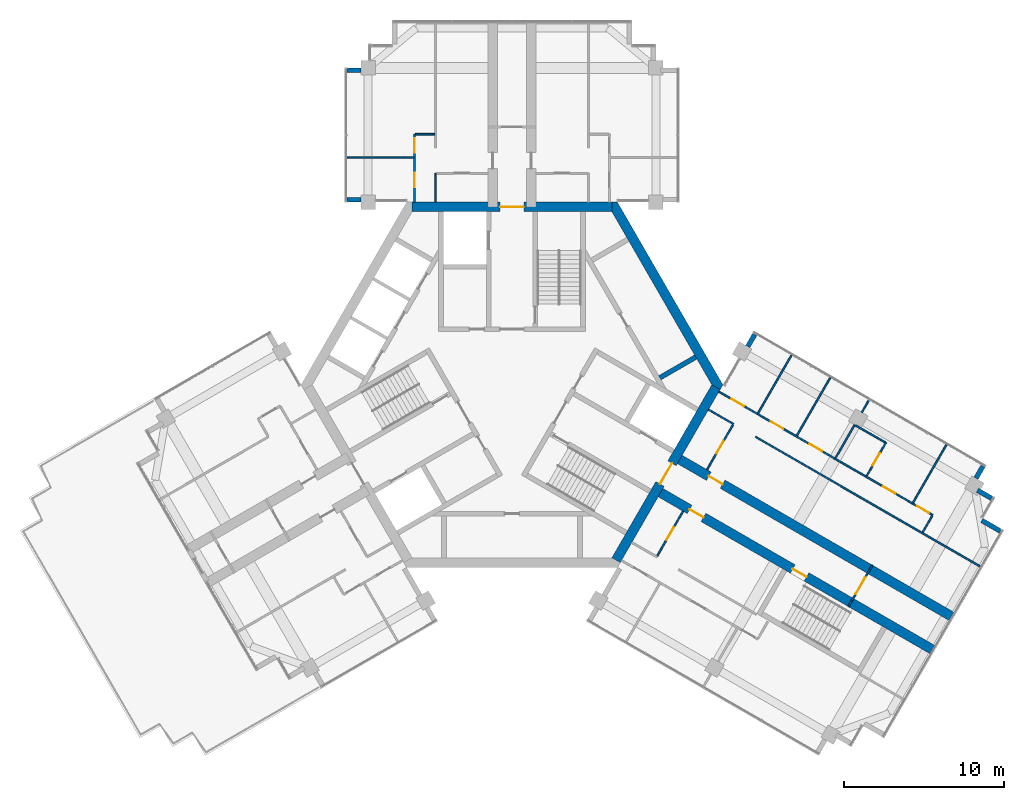
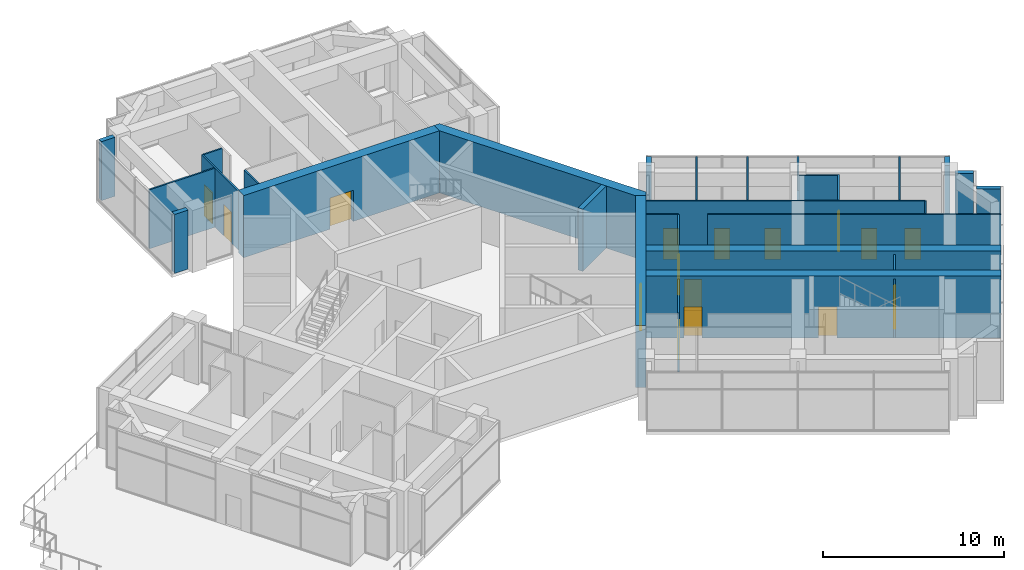
# One storey, part 11 of 13: 30 walls, 16 doors, 16 openings.
"""IFC4 building model written with IfcOpenShell, lengths in metres."""

from ifc_helpers import new_model, si_unit, direction, frame, frame_2d, origin, place, context, subcontext, project, spatial, polyline, rectangle, outline, extrude, material, layer, layer_set, type_object, element, fill, save


model = new_model("IFC4")

# Units and contexts
model_context = context("Model", 3, precision=1e-05, world=origin(), true_north=direction((0.0, 1.0)))
body_context = subcontext(model_context, "Body", "Model", "MODEL_VIEW")
ifc_project = project(units=[si_unit("LENGTHUNIT", "METRE"), si_unit("AREAUNIT", "SQUARE_METRE"), si_unit("VOLUMEUNIT", "CUBIC_METRE"), si_unit("PLANEANGLEUNIT", "RADIAN"), si_unit("MASSUNIT", "GRAM", prefix="KILO")], contexts=[model_context])

# Site, building, storey
site_placement = place(None, origin())
site = spatial("IfcSite", under=ifc_project, at=site_placement, CompositionType="ELEMENT")
building_placement = place(site_placement, origin())
building = spatial("IfcBuilding", under=site, at=building_placement, Name="Impinga Residences", CompositionType="ELEMENT")
storey_placement = place(building_placement, frame((0.0, 0.0, 283.14990234375)))
storey = spatial("IfcBuildingStorey", under=building, at=storey_placement, Name="L71", CompositionType="ELEMENT", Elevation=283.14990234375)

# Wall, opening, door
ifc_material_1 = material(Name="Concrete C60/75", Category="concrete")
ifc_layer_1 = layer(ifc_material_1, 0.60009765625)
ifc_layer_set_1 = layer_set([ifc_layer_1], Name="Concrete C60/75")
wall_type_1 = type_object("IfcWallType", Name="BW3 corridor buttress wall, L46 to L73 600", PredefinedType="SHEAR", material=ifc_layer_set_1)
wall_1_placement = place(storey_placement, frame((10.240234375, -4.526611328125, 0.0), z_axis=(0.0, 0.0, 1.0), x_axis=(0.866025922281, -0.499999101937, 0.0)))
wall_1 = element("IfcWall", 1, at=wall_1_placement, inside=storey, type_object=wall_type_1, Name="Corridor wall BW3 EC L71", PredefinedType="SHEAR", context=body_context, shape_type="SweptSolid", body=[
    extrude(rectangle(XDim=19.93798828125, YDim=0.60009765625, at=frame_2d((9.968994140625, 0.0))), origin(), (0.0, 0.0, 1.0), 4.2001953125),
])
opening_1_placement = place(wall_1_placement, frame((2.39990234375, 0.0, 0.0)))
opening_1 = element("IfcOpeningElement", 2, at=opening_1_placement, cuts=wall_1, Name="Opening D1", PredefinedType="OPENING", context=body_context, shape_type="SweptSolid", body=[
    extrude(rectangle(XDim=1.0, YDim=2.10009765625, at=frame_2d((0.5, 1.050048828125))), frame((0.0, 0.31005859375, 0.0), z_axis=(0.0, -1.0, 0.0), x_axis=(1.0, 0.0, 0.0)), (0.0, 0.0, 1.0), 0.6201171875),
])
ifc_material_2 = material(Name="Timber door set", Category="wood")
door_type_1 = type_object("IfcDoorType", Name="D1 apartment entrance door 1000x2100", OperationType="SINGLE_SWING_LEFT", PredefinedType="DOOR", material=ifc_material_2)
door_1_placement = place(opening_1_placement, origin())
door_1 = element("IfcDoor", 3, at=door_1_placement, inside=storey, type_object=door_type_1, Name="Apartment L71-EA1 entrance", OperationType="SINGLE_SWING_LEFT", OverallHeight=2.10009765625, OverallWidth=1.0, PredefinedType="DOOR", context=body_context, shape_type="SweptSolid", body=[
    extrude(rectangle(XDim=1.0, YDim=2.10009765625, at=frame_2d((0.5, 1.050048828125))), frame((0.0, 0.02490234375, 0.0), z_axis=(0.0, -1.0, 0.0), x_axis=(1.0, 0.0, 0.0)), (0.0, 0.0, 1.0), 0.050048828125),
])
fill(opening_1, door_1)

# Wall, openings, doors
wall_2_placement = place(storey_placement, frame((9.040283203125, -6.60498046875, 0.0), z_axis=(0.0, 0.0, 1.0), x_axis=(0.866025922281, -0.499999101937, 0.0)))
wall_2 = element("IfcWall", 4, at=wall_2_placement, inside=storey, type_object=wall_type_1, Name="Corridor wall BW3 ED L71", PredefinedType="SHEAR", context=body_context, shape_type="SweptSolid", body=[
    extrude(rectangle(XDim=19.93798828125, YDim=0.60009765625, at=frame_2d((9.968994140625, 0.0))), origin(), (0.0, 0.0, 1.0), 4.2001953125),
])
opening_2_placement = place(wall_2_placement, frame((9.85009765625, 0.0, 0.0)))
opening_2 = element("IfcOpeningElement", 5, at=opening_2_placement, cuts=wall_2, Name="Opening D5", PredefinedType="OPENING", context=body_context, shape_type="SweptSolid", body=[
    extrude(rectangle(XDim=1.0, YDim=2.10009765625, at=frame_2d((0.5, 1.050048828125))), frame((0.0, 0.31005859375, 0.0), z_axis=(0.0, -1.0, 0.0), x_axis=(1.0, 0.0, 0.0)), (0.0, 0.0, 1.0), 0.6201171875),
])
opening_3_placement = place(wall_2_placement, frame((2.39990234375, 0.0, 0.0)))
opening_3 = element("IfcOpeningElement", 6, at=opening_3_placement, cuts=wall_2, Name="Opening D1", PredefinedType="OPENING", context=body_context, shape_type="SweptSolid", body=[
    extrude(rectangle(XDim=1.0, YDim=2.10009765625, at=frame_2d((0.5, 1.050048828125))), frame((0.0, 0.31005859375, 0.0), z_axis=(0.0, -1.0, 0.0), x_axis=(1.0, 0.0, 0.0)), (0.0, 0.0, 1.0), 0.6201171875),
])
door_2_placement = place(opening_3_placement, origin())
door_2 = element("IfcDoor", 7, at=door_2_placement, inside=storey, type_object=door_type_1, Name="Apartment L71-EF1 entrance", OperationType="SINGLE_SWING_LEFT", OverallHeight=2.10009765625, OverallWidth=1.0, PredefinedType="DOOR", context=body_context, shape_type="SweptSolid", body=[
    extrude(rectangle(XDim=1.0, YDim=2.10009765625, at=frame_2d((0.5, 1.050048828125))), frame((0.0, 0.02490234375, 0.0), z_axis=(0.0, -1.0, 0.0), x_axis=(1.0, 0.0, 0.0)), (0.0, 0.0, 1.0), 0.050048828125),
])
fill(opening_3, door_2)
door_type_2 = type_object("IfcDoorType", Name="D5 stair door 1000x2100", OperationType="SINGLE_SWING_LEFT", PredefinedType="DOOR", material=ifc_material_2)
door_3_placement = place(opening_2_placement, origin())
door_3 = element("IfcDoor", 8, at=door_3_placement, inside=storey, type_object=door_type_2, Name="Wing stair door E", OperationType="SINGLE_SWING_RIGHT", OverallHeight=2.10009765625, OverallWidth=1.0, PredefinedType="DOOR", context=body_context, shape_type="SweptSolid", body=[
    extrude(rectangle(XDim=1.0, YDim=2.10009765625, at=frame_2d((0.5, 1.050048828125))), frame((0.0, 0.02490234375, 0.0), z_axis=(0.0, -1.0, 0.0), x_axis=(1.0, 0.0, 0.0)), (0.0, 0.0, 1.0), 0.050048828125),
])
fill(opening_2, door_3)

# Wall, opening, door
ifc_material_3 = material(Name="Concrete blockwork", Category="masonry")
ifc_layer_2 = layer(ifc_material_3, 0.10009765625)
ifc_layer_set_2 = layer_set([ifc_layer_2], Name="CP1 core room partition, blockwork 100")
wall_type_2 = type_object("IfcWallType", Name="CP1 core room partition, blockwork 100", PredefinedType="PARTITIONING", material=ifc_layer_set_2)
wall_3_placement = place(storey_placement, frame((22.557861328125, -11.291748046875, 0.0), z_axis=(0.0, 0.0, 1.0), x_axis=(-0.499990139034, -0.866031096941, 0.0)))
wall_3 = element("IfcWall", 9, at=wall_3_placement, inside=storey, type_object=wall_type_2, Name="Core room partition, blockwork L71:E:LNG", PredefinedType="PARTITIONING", context=body_context, shape_type="SweptSolid", body=[
    extrude(rectangle(XDim=3.0, YDim=0.10009765625, at=frame_2d((1.5, 0.0))), origin(), (0.0, 0.0, 1.0), 3.97998046875),
])
opening_4_placement = place(wall_3_placement, frame((0.89990234375, 0.0, 0.0)))
opening_4 = element("IfcOpeningElement", 10, at=opening_4_placement, cuts=wall_3, Name="Opening D3", PredefinedType="OPENING", context=body_context, shape_type="SweptSolid", body=[
    extrude(rectangle(XDim=1.199951171875, YDim=2.10009765625, at=frame_2d((0.60009765625, 1.050048828125))), frame((0.0, 0.06005859375, 0.0), z_axis=(0.0, -1.0, 0.0), x_axis=(1.0, 0.0, 0.0)), (0.0, 0.0, 1.0), 0.1201171875),
])
door_type_3 = type_object("IfcDoorType", Name="D3 room door, leaf and a half 1200x2100", OperationType="DOUBLE_SWING_LEFT", PredefinedType="DOOR", material=ifc_material_2)
door_4_placement = place(opening_4_placement, origin())
door_4 = element("IfcDoor", 11, at=door_4_placement, inside=storey, type_object=door_type_3, Name="Residents' lounge door E", OperationType="DOUBLE_SWING_LEFT", OverallHeight=2.10009765625, OverallWidth=1.199951171875, PredefinedType="DOOR", context=body_context, shape_type="SweptSolid", body=[
    extrude(rectangle(XDim=1.199951171875, YDim=2.10009765625, at=frame_2d((0.60009765625, 1.050048828125))), frame((0.0, 0.02490234375, 0.0), z_axis=(0.0, -1.0, 0.0), x_axis=(1.0, 0.0, 0.0)), (0.0, 0.0, 1.0), 0.050048828125),
])
fill(opening_4, door_4)

# Walls
ifc_material_4 = material(Name="Stone facing on blockwork", Category="masonry")
ifc_layer_3 = layer(ifc_material_4, 0.300048828125)
ifc_layer_set_3 = layer_set([ifc_layer_3], Name="EW2 external wall, stone facing on blockwork 300")
wall_type_3 = type_object("IfcWallType", Name="EW2 external wall, stone facing on blockwork 300", PredefinedType="SOLIDWALL", material=ifc_layer_set_3)
wall_4_placement = place(storey_placement, frame((29.476806640625, -5.107666015625, 0.0), z_axis=(0.0, 0.0, 1.0), x_axis=(-0.499885902046, -0.866091268248, 0.0)))
element("IfcWall", 12, at=wall_4_placement, inside=storey, type_object=wall_type_3, Name="External wall EW2 L71", PredefinedType="SOLIDWALL", context=body_context, shape_type="SweptSolid", body=[
    extrude(rectangle(XDim=0.862060546875, YDim=0.300048828125, at=frame_2d((0.43115234375, 0.0))), origin(), (0.0, 0.0, 1.0), 3.97998046875),
])
wall_5_placement = place(storey_placement, frame((29.134033203125, -6.6015625, 0.0), z_axis=(0.0, 0.0, 1.0), x_axis=(0.866073420066, -0.499916824138, 0.0)))
element("IfcWall", 13, at=wall_5_placement, inside=storey, type_object=wall_type_3, Name="External wall EW2 L71", PredefinedType="SOLIDWALL", context=body_context, shape_type="SweptSolid", body=[
    extrude(rectangle(XDim=1.014892578125, YDim=0.300048828125, at=frame_2d((0.50732421875, 0.0))), origin(), (0.0, 0.0, 1.0), 3.97998046875),
])
wall_6_placement = place(storey_placement, frame((29.41015625, -8.492919921875, 0.0), z_axis=(0.0, 0.0, 1.0), x_axis=(0.866020521143, -0.500008456887, 0.0)))
element("IfcWall", 14, at=wall_6_placement, inside=storey, type_object=wall_type_3, Name="External wall EW2 L71", PredefinedType="SOLIDWALL", context=body_context, shape_type="SweptSolid", body=[
    extrude(rectangle(XDim=1.330078125, YDim=0.300048828125, at=frame_2d((0.6650390625, 0.0))), origin(), (0.0, 0.0, 1.0), 3.97998046875),
])
for number, where, z_axis, x_axis, name in (
    (15, (-9.452880859375, 11.58154296875, 0.0), (0.0, 0.0, 1.0), (-1.0, 0.0, 0.0), "External wall EW2 L71"),
    (16, (-10.31494140625, 19.681640625, 0.0), (0.0, 0.0, 1.0), (1.0, 0.0, 0.0), "External wall EW2 L71"),
    (17, (14.75634765625, 2.395751953125, 0.0), (0.0, 0.0, 1.0), (0.500098305348, 0.865968639725, 0.0), "External wall EW2 L71"),
):
    element("IfcWall", number, at=place(storey_placement, frame(where, z_axis=z_axis, x_axis=x_axis)), inside=storey, type_object=wall_type_3, Name=name, PredefinedType="SOLIDWALL", context=body_context, shape_type="SweptSolid", body=[
        extrude(rectangle(XDim=0.862060546875, YDim=0.300048828125, at=frame_2d((0.43115234375, 0.0))), origin(), (0.0, 0.0, 1.0), 3.97998046875),
    ])
ifc_material_5 = material(Name="Gypsum board on steel studs", Category="steel")
ifc_layer_4 = layer(ifc_material_5, 0.10009765625)
ifc_layer_set_4 = layer_set([ifc_layer_4], Name="Gypsum board on steel studs")
wall_type_4 = type_object("IfcWallType", Name="IP1 partition 100", PredefinedType="PARTITIONING", material=ifc_layer_set_4)
wall_7_placement = place(storey_placement, frame((-4.800048828125, 11.431640625, 0.0), z_axis=(0.0, 0.0, 1.0), x_axis=(0.0, 1.0, 0.0)))
element("IfcWall", 18, at=wall_7_placement, inside=storey, type_object=wall_type_4, Name="Partition L71-NA1:DIV0", PredefinedType="PARTITIONING", context=body_context, shape_type="SweptSolid", body=[
    extrude(rectangle(XDim=1.7998046875, YDim=0.10009765625, at=frame_2d((0.89990234375, 0.0))), origin(), (0.0, 0.0, 1.0), 3.97998046875),
])

# Wall, openings, doors
wall_8_placement = place(storey_placement, frame((-6.10009765625, 11.431640625, 0.0), z_axis=(0.0, 0.0, 1.0), x_axis=(0.0, 1.0, 0.0)))
wall_8 = element("IfcWall", 19, at=wall_8_placement, inside=storey, type_object=wall_type_4, Name="Partition L71-NA1:STRIP", PredefinedType="PARTITIONING", context=body_context, shape_type="SweptSolid", body=[
    extrude(rectangle(XDim=4.25, YDim=0.10009765625, at=frame_2d((2.125, 0.0))), origin(), (0.0, 0.0, 1.0), 3.97998046875),
])
opening_5_placement = place(wall_8_placement, frame((0.925048828125, 0.0, 0.0)))
opening_5 = element("IfcOpeningElement", 20, at=opening_5_placement, cuts=wall_8, Name="Opening D2", PredefinedType="OPENING", context=body_context, shape_type="SweptSolid", body=[
    extrude(rectangle(XDim=0.89990234375, YDim=2.10009765625, at=frame_2d((0.449951171875, 1.050048828125))), frame((0.0, 0.06005859375, 0.0), z_axis=(0.0, -1.0, 0.0), x_axis=(1.0, 0.0, 0.0)), (0.0, 0.0, 1.0), 0.1201171875),
])
opening_6_placement = place(wall_8_placement, frame((3.10009765625, 0.0, 0.0)))
opening_6 = element("IfcOpeningElement", 21, at=opening_6_placement, cuts=wall_8, Name="Opening D2", PredefinedType="OPENING", context=body_context, shape_type="SweptSolid", body=[
    extrude(rectangle(XDim=0.89990234375, YDim=2.10009765625, at=frame_2d((0.449951171875, 1.050048828125))), frame((0.0, 0.06005859375, 0.0), z_axis=(0.0, -1.0, 0.0), x_axis=(1.0, 0.0, 0.0)), (0.0, 0.0, 1.0), 0.1201171875),
])
door_type_4 = type_object("IfcDoorType", Name="D2 internal door 900x2100", OperationType="SINGLE_SWING_LEFT", PredefinedType="DOOR", material=ifc_material_2)
door_5_placement = place(opening_5_placement, origin())
door_5 = element("IfcDoor", 22, at=door_5_placement, inside=storey, type_object=door_type_4, Name="Apartment L71-NA1 room door", OperationType="SINGLE_SWING_LEFT", OverallHeight=2.10009765625, OverallWidth=0.89990234375, PredefinedType="DOOR", context=body_context, shape_type="SweptSolid", body=[
    extrude(rectangle(XDim=0.89990234375, YDim=2.10009765625, at=frame_2d((0.449951171875, 1.050048828125))), frame((0.0, 0.02490234375, 0.0), z_axis=(0.0, -1.0, 0.0), x_axis=(1.0, 0.0, 0.0)), (0.0, 0.0, 1.0), 0.050048828125),
])
fill(opening_5, door_5)
door_6_placement = place(opening_6_placement, origin())
door_6 = element("IfcDoor", 23, at=door_6_placement, inside=storey, type_object=door_type_4, Name="Apartment L71-NA1 room door", OperationType="SINGLE_SWING_RIGHT", OverallHeight=2.10009765625, OverallWidth=0.89990234375, PredefinedType="DOOR", context=body_context, shape_type="SweptSolid", body=[
    extrude(rectangle(XDim=0.89990234375, YDim=2.10009765625, at=frame_2d((0.449951171875, 1.050048828125))), frame((0.0, 0.02490234375, 0.0), z_axis=(0.0, -1.0, 0.0), x_axis=(1.0, 0.0, 0.0)), (0.0, 0.0, 1.0), 0.050048828125),
])
fill(opening_6, door_6)

# Walls
wall_9_placement = place(storey_placement, frame((-4.85009765625, 15.681640625, 0.0), z_axis=(0.0, 0.0, 1.0), x_axis=(-1.0, 0.0, 0.0)))
element("IfcWall", 24, at=wall_9_placement, inside=storey, type_object=wall_type_4, Name="Partition L71-NA1:SE1", PredefinedType="PARTITIONING", context=body_context, shape_type="SweptSolid", body=[
    extrude(rectangle(XDim=1.199951171875, YDim=0.10009765625, at=frame_2d((0.60009765625, 0.0))), origin(), (0.0, 0.0, 1.0), 3.97998046875),
])
wall_10_placement = place(storey_placement, frame((-6.14990234375, 14.2314453125, 0.0), z_axis=(0.0, 0.0, 1.0), x_axis=(-1.0, 0.0, 0.0)))
element("IfcWall", 25, at=wall_10_placement, inside=storey, type_object=wall_type_4, Name="Partition L71-NA1:OB1", PredefinedType="PARTITIONING", context=body_context, shape_type="SweptSolid", body=[
    extrude(rectangle(XDim=4.18701171875, YDim=0.10009765625, at=frame_2d((2.093505859375, 0.0))), origin(), (0.0, 0.0, 1.0), 3.97998046875),
])
wall_11_placement = place(storey_placement, frame((12.300048828125, -1.558837890625, 0.0), z_axis=(0.0, 0.0, 1.0), x_axis=(0.866047807691, -0.499961193289, 0.0)))
element("IfcWall", 26, at=wall_11_placement, inside=storey, type_object=wall_type_4, Name="Partition L71-EA1:DIV0", PredefinedType="PARTITIONING", context=body_context, shape_type="SweptSolid", body=[
    extrude(rectangle(XDim=1.800048828125, YDim=0.10009765625, at=frame_2d((0.89990234375, 0.0))), origin(), (0.0, 0.0, 1.0), 3.97998046875),
])
wall_12_placement = place(storey_placement, frame((15.244384765625, -3.2587890625, 0.0), z_axis=(0.0, 0.0, 1.0), x_axis=(0.866023082401, -0.500004020733, 0.0)))
element("IfcWall", 27, at=wall_12_placement, inside=storey, type_object=wall_type_4, Name="Partition L71-EA1:DIV1", PredefinedType="PARTITIONING", context=body_context, shape_type="SweptSolid", body=[
    extrude(rectangle(XDim=16.237060546875, YDim=0.10009765625, at=frame_2d((8.11865234375, 0.0))), origin(), (0.0, 0.0, 1.0), 3.97998046875),
])

# Wall, openings, doors
wall_13_placement = place(storey_placement, frame((12.949951171875, -0.43310546875, 0.0), z_axis=(0.0, 0.0, 1.0), x_axis=(0.866030066916, -0.499991923133, 0.0)))
wall_13 = element("IfcWall", 28, at=wall_13_placement, inside=storey, type_object=wall_type_4, Name="Partition L71-EA1:STRIP", PredefinedType="PARTITIONING", context=body_context, shape_type="SweptSolid", body=[
    extrude(rectangle(XDim=15.449951171875, YDim=0.10009765625, at=frame_2d((7.72509765625, 0.0))), origin(), (0.0, 0.0, 1.0), 3.97998046875),
])
opening_7_placement = place(wall_13_placement, frame((0.925048828125, 0.0, 0.0)))
opening_7 = element("IfcOpeningElement", 29, at=opening_7_placement, cuts=wall_13, Name="Opening D2", PredefinedType="OPENING", context=body_context, shape_type="SweptSolid", body=[
    extrude(rectangle(XDim=0.89990234375, YDim=2.10009765625, at=frame_2d((0.449951171875, 1.050048828125))), frame((0.0, 0.06005859375, 0.0), z_axis=(0.0, -1.0, 0.0), x_axis=(1.0, 0.0, 0.0)), (0.0, 0.0, 1.0), 0.1201171875),
])
opening_8_placement = place(wall_13_placement, frame((3.75, 0.0, 0.0)))
opening_8 = element("IfcOpeningElement", 30, at=opening_8_placement, cuts=wall_13, Name="Opening D2", PredefinedType="OPENING", context=body_context, shape_type="SweptSolid", body=[
    extrude(rectangle(XDim=0.89990234375, YDim=2.10009765625, at=frame_2d((0.449951171875, 1.050048828125))), frame((0.0, 0.06005859375, 0.0), z_axis=(0.0, -1.0, 0.0), x_axis=(1.0, 0.0, 0.0)), (0.0, 0.0, 1.0), 0.1201171875),
])
opening_9_placement = place(wall_13_placement, frame((6.550048828125, 0.0, 0.0)))
opening_9 = element("IfcOpeningElement", 31, at=opening_9_placement, cuts=wall_13, Name="Opening D2", PredefinedType="OPENING", context=body_context, shape_type="SweptSolid", body=[
    extrude(rectangle(XDim=0.89990234375, YDim=2.10009765625, at=frame_2d((0.449951171875, 1.050048828125))), frame((0.0, 0.06005859375, 0.0), z_axis=(0.0, -1.0, 0.0), x_axis=(1.0, 0.0, 0.0)), (0.0, 0.0, 1.0), 0.1201171875),
])
opening_10_placement = place(wall_13_placement, frame((11.875, 0.0, 0.0)))
opening_10 = element("IfcOpeningElement", 32, at=opening_10_placement, cuts=wall_13, Name="Opening D2", PredefinedType="OPENING", context=body_context, shape_type="SweptSolid", body=[
    extrude(rectangle(XDim=0.89990234375, YDim=2.10009765625, at=frame_2d((0.449951171875, 1.050048828125))), frame((0.0, 0.06005859375, 0.0), z_axis=(0.0, -1.0, 0.0), x_axis=(1.0, 0.0, 0.0)), (0.0, 0.0, 1.0), 0.1201171875),
])
opening_11_placement = place(wall_13_placement, frame((14.300048828125, 0.0, 0.0)))
opening_11 = element("IfcOpeningElement", 33, at=opening_11_placement, cuts=wall_13, Name="Opening D2", PredefinedType="OPENING", context=body_context, shape_type="SweptSolid", body=[
    extrude(rectangle(XDim=0.89990234375, YDim=2.10009765625, at=frame_2d((0.449951171875, 1.050048828125))), frame((0.0, 0.06005859375, 0.0), z_axis=(0.0, -1.0, 0.0), x_axis=(1.0, 0.0, 0.0)), (0.0, 0.0, 1.0), 0.1201171875),
])
door_7_placement = place(opening_7_placement, origin())
door_7 = element("IfcDoor", 34, at=door_7_placement, inside=storey, type_object=door_type_4, Name="Apartment L71-EA1 room door", OperationType="SINGLE_SWING_LEFT", OverallHeight=2.10009765625, OverallWidth=0.89990234375, PredefinedType="DOOR", context=body_context, shape_type="SweptSolid", body=[
    extrude(rectangle(XDim=0.89990234375, YDim=2.10009765625, at=frame_2d((0.449951171875, 1.050048828125))), frame((0.0, 0.02490234375, 0.0), z_axis=(0.0, -1.0, 0.0), x_axis=(1.0, 0.0, 0.0)), (0.0, 0.0, 1.0), 0.050048828125),
])
fill(opening_7, door_7)
door_8_placement = place(opening_8_placement, origin())
door_8 = element("IfcDoor", 35, at=door_8_placement, inside=storey, type_object=door_type_4, Name="Apartment L71-EA1 room door", OperationType="SINGLE_SWING_LEFT", OverallHeight=2.10009765625, OverallWidth=0.89990234375, PredefinedType="DOOR", context=body_context, shape_type="SweptSolid", body=[
    extrude(rectangle(XDim=0.89990234375, YDim=2.10009765625, at=frame_2d((0.449951171875, 1.050048828125))), frame((0.0, 0.02490234375, 0.0), z_axis=(0.0, -1.0, 0.0), x_axis=(1.0, 0.0, 0.0)), (0.0, 0.0, 1.0), 0.050048828125),
])
fill(opening_8, door_8)
door_9_placement = place(opening_9_placement, origin())
door_9 = element("IfcDoor", 36, at=door_9_placement, inside=storey, type_object=door_type_4, Name="Apartment L71-EA1 room door", OperationType="SINGLE_SWING_LEFT", OverallHeight=2.10009765625, OverallWidth=0.89990234375, PredefinedType="DOOR", context=body_context, shape_type="SweptSolid", body=[
    extrude(rectangle(XDim=0.89990234375, YDim=2.10009765625, at=frame_2d((0.449951171875, 1.050048828125))), frame((0.0, 0.02490234375, 0.0), z_axis=(0.0, -1.0, 0.0), x_axis=(1.0, 0.0, 0.0)), (0.0, 0.0, 1.0), 0.050048828125),
])
fill(opening_9, door_9)
door_10_placement = place(opening_10_placement, origin())
door_10 = element("IfcDoor", 37, at=door_10_placement, inside=storey, type_object=door_type_4, Name="Apartment L71-EA1 room door", OperationType="SINGLE_SWING_RIGHT", OverallHeight=2.10009765625, OverallWidth=0.89990234375, PredefinedType="DOOR", context=body_context, shape_type="SweptSolid", body=[
    extrude(rectangle(XDim=0.89990234375, YDim=2.10009765625, at=frame_2d((0.449951171875, 1.050048828125))), frame((0.0, 0.02490234375, 0.0), z_axis=(0.0, -1.0, 0.0), x_axis=(1.0, 0.0, 0.0)), (0.0, 0.0, 1.0), 0.050048828125),
])
fill(opening_10, door_10)
door_11_placement = place(opening_11_placement, origin())
door_11 = element("IfcDoor", 38, at=door_11_placement, inside=storey, type_object=door_type_4, Name="Apartment L71-EA1 room door", OperationType="SINGLE_SWING_RIGHT", OverallHeight=2.10009765625, OverallWidth=0.89990234375, PredefinedType="DOOR", context=body_context, shape_type="SweptSolid", body=[
    extrude(rectangle(XDim=0.89990234375, YDim=2.10009765625, at=frame_2d((0.449951171875, 1.050048828125))), frame((0.0, 0.02490234375, 0.0), z_axis=(0.0, -1.0, 0.0), x_axis=(1.0, 0.0, 0.0)), (0.0, 0.0, 1.0), 0.050048828125),
])
fill(opening_11, door_11)

# Wall
wall_14_placement = place(storey_placement, frame((25.705078125, -9.240478515625, 0.0), z_axis=(0.0, 0.0, 1.0), x_axis=(0.50012165622, 0.865955154139, 0.0)))
element("IfcWall", 39, at=wall_14_placement, inside=storey, type_object=wall_type_4, Name="Partition L71-EA1:SE1", PredefinedType="PARTITIONING", context=body_context, shape_type="SweptSolid", body=[
    extrude(rectangle(XDim=1.199951171875, YDim=0.10009765625, at=frame_2d((0.60009765625, 0.0))), origin(), (0.0, 0.0, 1.0), 3.97998046875),
])

# Wall, opening, door
wall_15_placement = place(storey_placement, frame((12.208740234375, -5.316650390625, 0.0), z_axis=(0.0, 0.0, 1.0), x_axis=(0.500017246033, 0.866015446554, 0.0)))
wall_15 = element("IfcWall", 40, at=wall_15_placement, inside=storey, type_object=wall_type_4, Name="Partition L71-EA1:IB1", PredefinedType="PARTITIONING", context=body_context, shape_type="SweptSolid", body=[
    extrude(rectangle(XDim=3.25, YDim=0.10009765625, at=frame_2d((1.625, 0.0))), origin(), (0.0, 0.0, 1.0), 3.97998046875),
])
opening_12_placement = place(wall_15_placement, frame((1.175048828125, 0.0, 0.0)))
opening_12 = element("IfcOpeningElement", 41, at=opening_12_placement, cuts=wall_15, Name="Opening D2", PredefinedType="OPENING", context=body_context, shape_type="SweptSolid", body=[
    extrude(rectangle(XDim=0.89990234375, YDim=2.10009765625, at=frame_2d((0.449951171875, 1.050048828125))), frame((0.0, 0.06005859375, 0.0), z_axis=(0.0, -1.0, 0.0), x_axis=(1.0, 0.0, 0.0)), (0.0, 0.0, 1.0), 0.1201171875),
])
door_12_placement = place(opening_12_placement, origin())
door_12 = element("IfcDoor", 42, at=door_12_placement, inside=storey, type_object=door_type_4, Name="Apartment L71-EA1 bathroom door", OperationType="SINGLE_SWING_LEFT", OverallHeight=2.10009765625, OverallWidth=0.89990234375, PredefinedType="DOOR", context=body_context, shape_type="SweptSolid", body=[
    extrude(rectangle(XDim=0.89990234375, YDim=2.10009765625, at=frame_2d((0.449951171875, 1.050048828125))), frame((0.0, 0.02490234375, 0.0), z_axis=(0.0, -1.0, 0.0), x_axis=(1.0, 0.0, 0.0)), (0.0, 0.0, 1.0), 0.050048828125),
])
fill(opening_12, door_12)

# Walls
wall_16_placement = place(storey_placement, frame((15.39990234375, -1.789794921875, 0.0), z_axis=(0.0, 0.0, 1.0), x_axis=(0.499983227221, 0.866035087336, 0.0)))
element("IfcWall", 43, at=wall_16_placement, inside=storey, type_object=wall_type_4, Name="Partition L71-EA1:OB1", PredefinedType="PARTITIONING", context=body_context, shape_type="SweptSolid", body=[
    extrude(rectangle(XDim=4.187255859375, YDim=0.10009765625, at=frame_2d((2.09375, 0.0))), origin(), (0.0, 0.0, 1.0), 3.97998046875),
])
wall_17_placement = place(storey_placement, frame((17.82470703125, -3.189697265625, 0.0), z_axis=(0.0, 0.0, 1.0), x_axis=(0.500008475426, 0.86602051044, 0.0)))
element("IfcWall", 44, at=wall_17_placement, inside=storey, type_object=wall_type_4, Name="Partition L71-EA1:OB2", PredefinedType="PARTITIONING", context=body_context, shape_type="SweptSolid", body=[
    extrude(rectangle(XDim=4.18701171875, YDim=0.10009765625, at=frame_2d((2.093505859375, 0.0))), origin(), (0.0, 0.0, 1.0), 3.97998046875),
])
wall_18_placement = place(storey_placement, frame((20.24951171875, -4.589599609375, 0.0), z_axis=(0.0, 0.0, 1.0), x_axis=(0.500077600433, 0.865980596518, 0.0)))
element("IfcWall", 45, at=wall_18_placement, inside=storey, type_object=wall_type_4, Name="Partition L71-EA1:OB3", PredefinedType="PARTITIONING", context=body_context, shape_type="SweptSolid", body=[
    extrude(rectangle(XDim=2.39990234375, YDim=0.10009765625, at=frame_2d((1.199951171875, 0.0))), origin(), (0.0, 0.0, 1.0), 2.93017578125),
])
wall_19_placement = place(storey_placement, frame((21.899658203125, -1.73193359375, 0.0), z_axis=(0.0, 0.0, 1.0), x_axis=(0.499803706212, 0.866138704398, 0.0)))
element("IfcWall", 46, at=wall_19_placement, inside=storey, type_object=wall_type_4, Name="Partition L71-EA1:OB3b", PredefinedType="PARTITIONING", context=body_context, shape_type="SweptSolid", body=[
    extrude(rectangle(XDim=0.866943359375, YDim=0.10009765625, at=frame_2d((0.43359375, 0.0))), origin(), (0.0, 0.0, 1.0), 3.97998046875),
])
wall_20_placement = place(storey_placement, frame((25.099365234375, -7.3896484375, 0.0), z_axis=(0.0, 0.0, 1.0), x_axis=(0.500008475426, 0.86602051044, 0.0)))
element("IfcWall", 47, at=wall_20_placement, inside=storey, type_object=wall_type_4, Name="Partition L71-EA1:OB4", PredefinedType="PARTITIONING", context=body_context, shape_type="SweptSolid", body=[
    extrude(rectangle(XDim=4.18701171875, YDim=0.10009765625, at=frame_2d((2.093505859375, 0.0))), origin(), (0.0, 0.0, 1.0), 3.97998046875),
])

# Wall, opening, door
wall_21_placement = place(storey_placement, frame((22.1982421875, -5.714599609375, 0.0), z_axis=(0.0, 0.0, 1.0), x_axis=(0.499987006516, 0.866032905446, 0.0)))
wall_21 = element("IfcWall", 48, at=wall_21_placement, inside=storey, type_object=wall_type_4, Name="Partition L71-EA1:EN1", PredefinedType="PARTITIONING", context=body_context, shape_type="SweptSolid", body=[
    extrude(rectangle(XDim=2.44970703125, YDim=0.10009765625, at=frame_2d((1.224853515625, 0.0))), origin(), (0.0, 0.0, 1.0), 3.97998046875),
])
opening_13_placement = place(wall_21_placement, frame((0.75, 0.0, 0.0)))
opening_13 = element("IfcOpeningElement", 49, at=opening_13_placement, cuts=wall_21, Name="Opening D2", PredefinedType="OPENING", context=body_context, shape_type="SweptSolid", body=[
    extrude(rectangle(XDim=0.89990234375, YDim=2.10009765625, at=frame_2d((0.449951171875, 1.050048828125))), frame((0.0, 0.06005859375, 0.0), z_axis=(0.0, -1.0, 0.0), x_axis=(1.0, 0.0, 0.0)), (0.0, 0.0, 1.0), 0.1201171875),
])
door_13_placement = place(opening_13_placement, origin())
door_13 = element("IfcDoor", 50, at=door_13_placement, inside=storey, type_object=door_type_4, Name="Apartment L71-EA1 en-suite door", OperationType="SINGLE_SWING_LEFT", OverallHeight=2.10009765625, OverallWidth=0.89990234375, PredefinedType="DOOR", context=body_context, shape_type="SweptSolid", body=[
    extrude(rectangle(XDim=0.89990234375, YDim=2.10009765625, at=frame_2d((0.449951171875, 1.050048828125))), frame((0.0, 0.02490234375, 0.0), z_axis=(0.0, -1.0, 0.0), x_axis=(1.0, 0.0, 0.0)), (0.0, 0.0, 1.0), 0.050048828125),
])
fill(opening_13, door_13)

# Wall
wall_22_placement = place(storey_placement, frame((21.492919921875, -2.5361328125, 0.0), z_axis=(0.0, 0.0, 1.0), x_axis=(0.865998386012, -0.500046793234, 0.0)))
element("IfcWall", 51, at=wall_22_placement, inside=storey, type_object=wall_type_4, Name="Partition L71-EA1:EN2", PredefinedType="PARTITIONING", context=body_context, shape_type="SweptSolid", body=[
    extrude(rectangle(XDim=2.150146484375, YDim=0.10009765625, at=frame_2d((1.0751953125, 0.0))), origin(), (0.0, 0.0, 1.0), 3.97998046875),
])

# Wall, opening, door
wall_23_placement = place(storey_placement, frame((10.708740234375, -7.914794921875, 0.0), z_axis=(0.0, 0.0, 1.0), x_axis=(-0.499984717929, -0.866034226713, 0.0)))
wall_23 = element("IfcWall", 52, at=wall_23_placement, inside=storey, type_object=wall_type_4, Name="Partition L71-EF1:IB1", PredefinedType="PARTITIONING", context=body_context, shape_type="SweptSolid", body=[
    extrude(rectangle(XDim=3.25, YDim=0.10009765625, at=frame_2d((1.625, 0.0))), origin(), (0.0, 0.0, 1.0), 3.97998046875),
])
opening_14_placement = place(wall_23_placement, frame((1.175048828125, 0.0, 0.0)))
opening_14 = element("IfcOpeningElement", 53, at=opening_14_placement, cuts=wall_23, Name="Opening D2", PredefinedType="OPENING", context=body_context, shape_type="SweptSolid", body=[
    extrude(rectangle(XDim=0.89990234375, YDim=2.10009765625, at=frame_2d((0.449951171875, 1.050048828125))), frame((0.0, 0.06005859375, 0.0), z_axis=(0.0, -1.0, 0.0), x_axis=(1.0, 0.0, 0.0)), (0.0, 0.0, 1.0), 0.1201171875),
])
door_14_placement = place(opening_14_placement, origin())
door_14 = element("IfcDoor", 54, at=door_14_placement, inside=storey, type_object=door_type_4, Name="Apartment L71-EF1 bathroom door", OperationType="SINGLE_SWING_LEFT", OverallHeight=2.10009765625, OverallWidth=0.89990234375, PredefinedType="DOOR", context=body_context, shape_type="SweptSolid", body=[
    extrude(rectangle(XDim=0.89990234375, YDim=2.10009765625, at=frame_2d((0.449951171875, 1.050048828125))), frame((0.0, 0.02490234375, 0.0), z_axis=(0.0, -1.0, 0.0), x_axis=(1.0, 0.0, 0.0)), (0.0, 0.0, 1.0), 0.050048828125),
])
fill(opening_14, door_14)

ifc_layer_5 = layer(ifc_material_1, 0.60009765625)
ifc_layer_set_5 = layer_set([ifc_layer_5], Name="Concrete C60/75")
wall_type_5 = type_object("IfcWallType", Name="SW4 core wall, crown 600", PredefinedType="SHEAR", material=ifc_layer_set_5)
wall_24_placement = place(storey_placement, frame((-6.253662109375, 11.131591796875, 0.0), z_axis=(0.0, 0.0, 1.0), x_axis=(1.0, 0.0, 0.0)))
wall_24 = element("IfcWall", 55, at=wall_24_placement, inside=storey, type_object=wall_type_5, Name="Core wall SW4 N:FACE L71", PredefinedType="SHEAR", context=body_context, shape_type="SweptSolid", body=[
    extrude(rectangle(XDim=12.50732421875, YDim=0.60009765625, at=frame_2d((6.253662109375, 0.0))), origin(), (0.0, 0.0, 1.0), 4.2001953125),
])
opening_15_placement = place(wall_24_placement, frame((5.503662109375, 0.0, 0.0)))
opening_15 = element("IfcOpeningElement", 56, at=opening_15_placement, cuts=wall_24, Name="Opening D4", PredefinedType="OPENING", context=body_context, shape_type="SweptSolid", body=[
    extrude(rectangle(XDim=1.5, YDim=2.10009765625, at=frame_2d((0.75, 1.050048828125))), frame((0.0, 0.31005859375, 0.0), z_axis=(0.0, -1.0, 0.0), x_axis=(1.0, 0.0, 0.0)), (0.0, 0.0, 1.0), 0.6201171875),
])
door_type_5 = type_object("IfcDoorType", Name="D4 lobby door pair 1500x2100", OperationType="DOUBLE_DOOR_DOUBLE_SWING", PredefinedType="DOOR", material=ifc_material_2)
door_15_placement = place(opening_15_placement, origin())
door_15 = element("IfcDoor", 57, at=door_15_placement, inside=storey, type_object=door_type_5, Name="Lobby door N", OperationType="DOUBLE_DOOR_DOUBLE_SWING", OverallHeight=2.10009765625, OverallWidth=1.5, PredefinedType="DOOR", context=body_context, shape_type="SweptSolid", body=[
    extrude(rectangle(XDim=1.5, YDim=2.10009765625, at=frame_2d((0.75, 1.050048828125))), frame((0.0, 0.02490234375, 0.0), z_axis=(0.0, -1.0, 0.0), x_axis=(1.0, 0.0, 0.0)), (0.0, 0.0, 1.0), 0.050048828125),
])
fill(opening_15, door_15)

wall_25_placement = place(storey_placement, frame((12.76708984375, -0.14990234375, 0.0), z_axis=(0.0, 0.0, 1.0), x_axis=(-0.500004069281, -0.866023054371, 0.0)))
wall_25 = element("IfcWall", 58, at=wall_25_placement, inside=storey, type_object=wall_type_5, Name="Core wall SW4 E:FACE L71", PredefinedType="SHEAR", context=body_context, shape_type="SweptSolid", body=[
    extrude(rectangle(XDim=12.50732421875, YDim=0.60009765625, at=frame_2d((6.253662109375, 0.0))), origin(), (0.0, 0.0, 1.0), 4.2001953125),
])
opening_16_placement = place(wall_25_placement, frame((5.503662109375, 0.0, 0.0)))
opening_16 = element("IfcOpeningElement", 59, at=opening_16_placement, cuts=wall_25, Name="Opening D4", PredefinedType="OPENING", context=body_context, shape_type="SweptSolid", body=[
    extrude(rectangle(XDim=1.5, YDim=2.10009765625, at=frame_2d((0.75, 1.050048828125))), frame((0.0, 0.31005859375, 0.0), z_axis=(0.0, -1.0, 0.0), x_axis=(1.0, 0.0, 0.0)), (0.0, 0.0, 1.0), 0.6201171875),
])
door_16_placement = place(opening_16_placement, origin())
door_16 = element("IfcDoor", 60, at=door_16_placement, inside=storey, type_object=door_type_5, Name="Lobby door E", OperationType="DOUBLE_DOOR_DOUBLE_SWING", OverallHeight=2.10009765625, OverallWidth=1.5, PredefinedType="DOOR", context=body_context, shape_type="SweptSolid", body=[
    extrude(rectangle(XDim=1.5, YDim=2.10009765625, at=frame_2d((0.75, 1.050048828125))), frame((0.0, 0.02490234375, 0.0), z_axis=(0.0, -1.0, 0.0), x_axis=(1.0, 0.0, 0.0)), (0.0, 0.0, 1.0), 0.050048828125),
])
fill(opening_16, door_16)

# Walls
wall_26_placement = place(storey_placement, origin())
element("IfcWall", 61, at=wall_26_placement, inside=storey, type_object=wall_type_5, Name="Core wall SW4 W:EXPOSED L71", PredefinedType="SHEAR", context=body_context, shape_type="SweptSolid", body=[
    extrude(outline(polyline([(13.199951171875, 0.0), (6.60009765625, 11.431640625), (6.253662109375, 11.431640625), (6.253662109375, 10.83154296875), (12.507080078125, 0.0), (13.02685546875, -0.300048828125), (13.199951171875, 0.0)])), origin(), (0.0, 0.0, 1.0), 4.2001953125),
])
ifc_material_6 = material(Name="Concrete C70/85", Category="concrete")
ifc_layer_6 = layer(ifc_material_6, 0.300048828125)
ifc_layer_set_6 = layer_set([ifc_layer_6], Name="Concrete C70/85")
wall_type_6 = type_object("IfcWallType", Name="SW5 core inner wall, stairs, shafts and lobbies 300", PredefinedType="SHEAR", material=ifc_layer_set_6)
wall_27_placement = place(storey_placement, frame((9.253662109375, 0.43505859375, 0.0), z_axis=(0.0, 0.0, 1.0), x_axis=(0.866021400173, 0.500006934395, 0.0)))
element("IfcWall", 62, at=wall_27_placement, inside=storey, type_object=wall_type_6, Name="Core wall SW5 W:BANK-R L71", PredefinedType="SHEAR", context=body_context, shape_type="SweptSolid", body=[
    extrude(rectangle(XDim=2.60009765625, YDim=0.300048828125, at=frame_2d((1.300048828125, 0.0))), origin(), (0.0, 0.0, 1.0), 4.2001953125),
])

save(model, "model.ifc")
